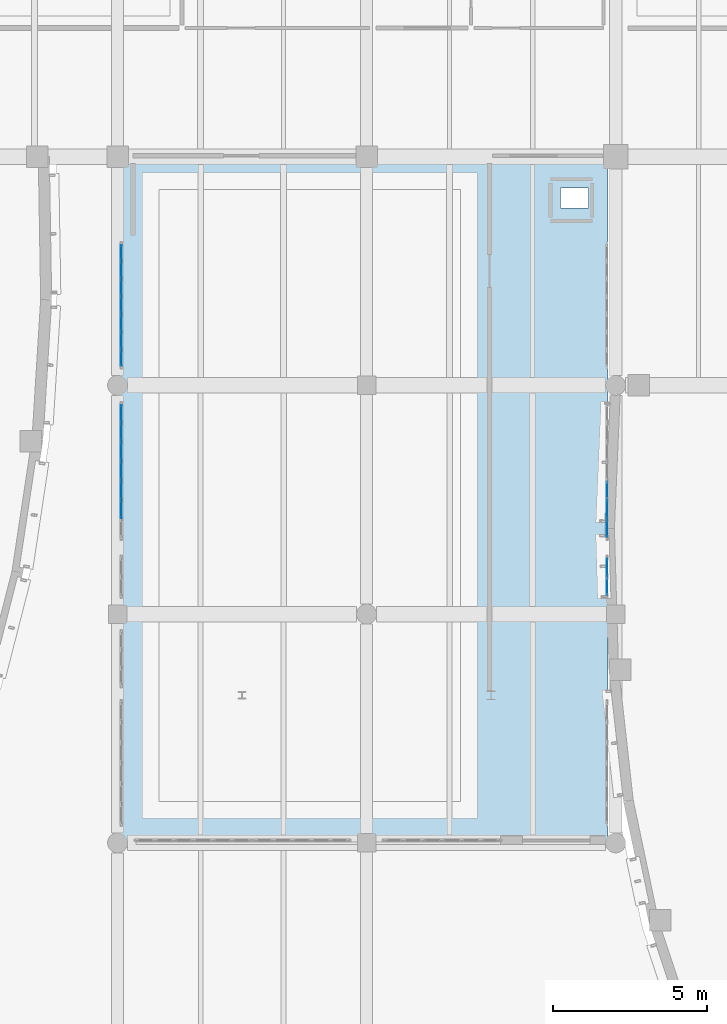
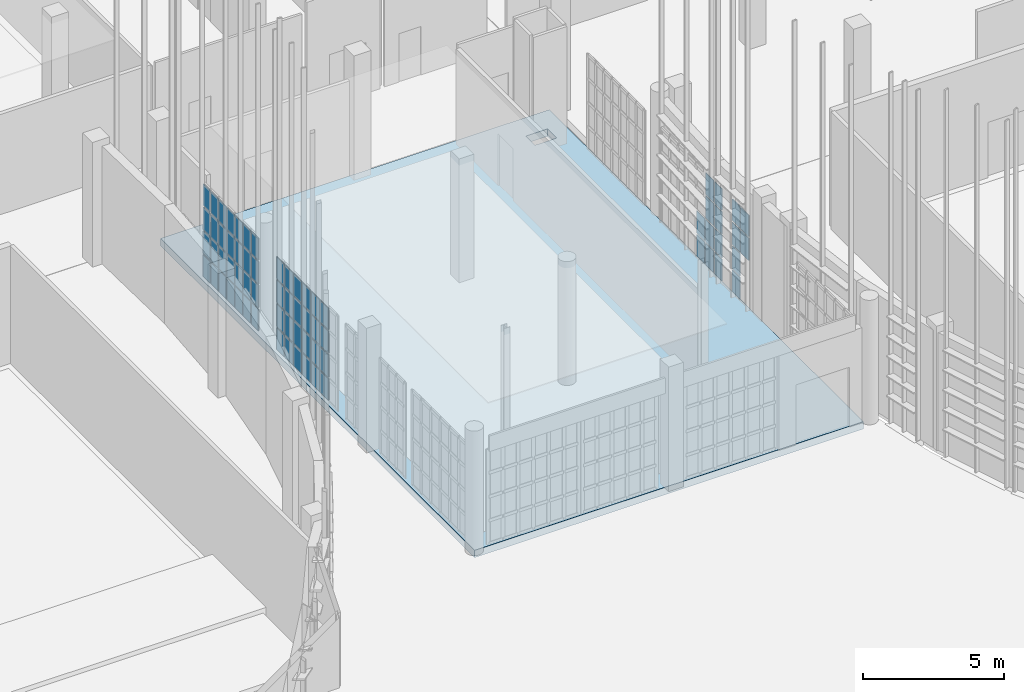
# One storey, part 334 of 372: 68 plates, 1 slab, 4 elements without a shape of their own.
"""IFC4 building model written with IfcOpenShell, lengths in metres."""

from ifc_helpers import new_model, si_unit, direction, frame, origin, origin_2d, place, context, subcontext, project, spatial, polyline, rectangle, outline, extrude, material, layer, layer_set, type_object, element, aggregate, save


model = new_model("IFC4")

# Units and contexts
model_context = context("Model", 3, precision=1e-05, world=origin(), true_north=direction((0.0, 1.0)))
body_context = subcontext(model_context, "Body", "Model", "MODEL_VIEW")
ifc_project = project(units=[si_unit("LENGTHUNIT", "METRE"), si_unit("AREAUNIT", "SQUARE_METRE"), si_unit("VOLUMEUNIT", "CUBIC_METRE"), si_unit("PLANEANGLEUNIT", "RADIAN"), si_unit("MASSUNIT", "GRAM", prefix="KILO")], contexts=[model_context])

# Site, building, storey
site_placement = place(None, origin())
site = spatial("IfcSite", under=ifc_project, at=site_placement, CompositionType="ELEMENT")
building_placement = place(site_placement, origin())
building = spatial("IfcBuilding", under=site, at=building_placement, Name="Kaelora Sail Theatre", CompositionType="ELEMENT")
storey_placement = place(building_placement, origin())
storey = spatial("IfcBuildingStorey", under=building, at=storey_placement, Name="L00", CompositionType="ELEMENT", Elevation=0.0)

# Curtain wall, plates
ifc_material_1 = material(Name="Anodised aluminium and solar-control low-E IGU", Category="aluminium")
curtain_wall_type = type_object("IfcCurtainWallType", Name="ARC-CW-CW-FOY2", PredefinedType="NOTDEFINED", material=ifc_material_1)
curtain_wall_1_placement = place(storey_placement, origin())
curtain_wall_1 = element("IfcCurtainWall", 1, at=curtain_wall_1_placement, inside=storey, type_object=curtain_wall_type, Name="East Interstitial Foyer East Glazed Return L00-02", PredefinedType="NOTDEFINED")
ifc_material_2 = material(Name="Solar-control laminated low-E glass", Category="glass")
ifc_layer_1 = layer(ifc_material_2, 0.031982421875)
ifc_layer_set_1 = layer_set([ifc_layer_1], Name="Solar-control laminated low-E glass")
plate_type = type_object("IfcPlateType", Name="ARC-CW-PNL", PredefinedType="CURTAIN_PANEL", material=ifc_layer_set_1)
plate_1_placement = place(storey_placement, frame((122.719970703125, 47.0400390625, 2.103515625), z_axis=(0.0, 0.0, 1.0), x_axis=(0.0, 1.0, 0.0)))
plate_1 = element("IfcPlate", 2, at=plate_1_placement, type_object=plate_type, Name="CW-FOY2 panel 1.3", PredefinedType="CURTAIN_PANEL", context=body_context, shape_type="SweptSolid", body=[
    extrude(rectangle(XDim=0.56005859375, YDim=0.031982421875, at=origin_2d()), origin(), (0.0, 0.0, 1.0), 0.964111328125),
])
plate_2_placement = place(storey_placement, frame((122.719970703125, 47.0400390625, 3.1376953125), z_axis=(0.0, 0.0, 1.0), x_axis=(0.0, 1.0, 0.0)))
plate_2 = element("IfcPlate", 3, at=plate_2_placement, type_object=plate_type, Name="CW-FOY2 panel 1.4", PredefinedType="CURTAIN_PANEL", context=body_context, shape_type="SweptSolid", body=[
    extrude(rectangle(XDim=0.56005859375, YDim=0.031982421875, at=origin_2d()), origin(), (0.0, 0.0, 1.0), 0.92919921875),
])
plate_3_placement = place(storey_placement, frame((122.719970703125, 47.659912109375, 0.070068359375), z_axis=(0.0, 0.0, 1.0), x_axis=(0.0, 1.0, 0.0)))
plate_3 = element("IfcPlate", 4, at=plate_3_placement, type_object=plate_type, Name="CW-FOY2 panel 2.1", PredefinedType="CURTAIN_PANEL", context=body_context, shape_type="SweptSolid", body=[
    extrude(rectangle(XDim=0.56005859375, YDim=0.031982421875, at=origin_2d()), origin(), (0.0, 0.0, 1.0), 0.92919921875),
])
plate_4_placement = place(storey_placement, frame((122.719970703125, 47.659912109375, 1.069091796875), z_axis=(0.0, 0.0, 1.0), x_axis=(0.0, 1.0, 0.0)))
plate_4 = element("IfcPlate", 5, at=plate_4_placement, type_object=plate_type, Name="CW-FOY2 panel 2.2", PredefinedType="CURTAIN_PANEL", context=body_context, shape_type="SweptSolid", body=[
    extrude(rectangle(XDim=0.56005859375, YDim=0.031982421875, at=origin_2d()), origin(), (0.0, 0.0, 1.0), 0.96435546875),
])
plate_5_placement = place(storey_placement, frame((122.719970703125, 47.659912109375, 2.103515625), z_axis=(0.0, 0.0, 1.0), x_axis=(0.0, 1.0, 0.0)))
plate_5 = element("IfcPlate", 6, at=plate_5_placement, type_object=plate_type, Name="CW-FOY2 panel 2.3", PredefinedType="CURTAIN_PANEL", context=body_context, shape_type="SweptSolid", body=[
    extrude(rectangle(XDim=0.56005859375, YDim=0.031982421875, at=origin_2d()), origin(), (0.0, 0.0, 1.0), 0.964111328125),
])
plate_6_placement = place(storey_placement, frame((122.719970703125, 47.659912109375, 3.1376953125), z_axis=(0.0, 0.0, 1.0), x_axis=(0.0, 1.0, 0.0)))
plate_6 = element("IfcPlate", 7, at=plate_6_placement, type_object=plate_type, Name="CW-FOY2 panel 2.4", PredefinedType="CURTAIN_PANEL", context=body_context, shape_type="SweptSolid", body=[
    extrude(rectangle(XDim=0.56005859375, YDim=0.031982421875, at=origin_2d()), origin(), (0.0, 0.0, 1.0), 0.92919921875),
])
aggregate(curtain_wall_1, [plate_1, plate_2, plate_3, plate_4, plate_5, plate_6])

curtain_wall_2_placement = place(storey_placement, origin())
curtain_wall_2 = element("IfcCurtainWall", 8, at=curtain_wall_2_placement, inside=storey, type_object=curtain_wall_type, Name="East Interstitial Foyer West Glazed Return L00-03", PredefinedType="NOTDEFINED")
plate_7_placement = place(storey_placement, frame((106.919921875, 49.541748046875, 0.070068359375), z_axis=(0.0, 0.0, 1.0), x_axis=(0.0, 1.0, 0.0)))
plate_7 = element("IfcPlate", 9, at=plate_7_placement, type_object=plate_type, Name="CW-FOY2 panel 2.1", PredefinedType="CURTAIN_PANEL", context=body_context, shape_type="SweptSolid", body=[
    extrude(rectangle(XDim=0.56787109375, YDim=0.031982421875, at=origin_2d()), origin(), (0.0, 0.0, 1.0), 0.92919921875),
])
plate_8_placement = place(storey_placement, frame((106.919921875, 49.541748046875, 1.069091796875), z_axis=(0.0, 0.0, 1.0), x_axis=(0.0, 1.0, 0.0)))
plate_8 = element("IfcPlate", 10, at=plate_8_placement, type_object=plate_type, Name="CW-FOY2 panel 2.2", PredefinedType="CURTAIN_PANEL", context=body_context, shape_type="SweptSolid", body=[
    extrude(rectangle(XDim=0.56787109375, YDim=0.031982421875, at=origin_2d()), origin(), (0.0, 0.0, 1.0), 0.96435546875),
])
plate_9_placement = place(storey_placement, frame((106.919921875, 49.541748046875, 2.103515625), z_axis=(0.0, 0.0, 1.0), x_axis=(0.0, 1.0, 0.0)))
plate_9 = element("IfcPlate", 11, at=plate_9_placement, type_object=plate_type, Name="CW-FOY2 panel 2.3", PredefinedType="CURTAIN_PANEL", context=body_context, shape_type="SweptSolid", body=[
    extrude(rectangle(XDim=0.56787109375, YDim=0.031982421875, at=origin_2d()), origin(), (0.0, 0.0, 1.0), 0.964111328125),
])
plate_10_placement = place(storey_placement, frame((106.919921875, 49.541748046875, 3.1376953125), z_axis=(0.0, 0.0, 1.0), x_axis=(0.0, 1.0, 0.0)))
plate_10 = element("IfcPlate", 12, at=plate_10_placement, type_object=plate_type, Name="CW-FOY2 panel 2.4", PredefinedType="CURTAIN_PANEL", context=body_context, shape_type="SweptSolid", body=[
    extrude(rectangle(XDim=0.56787109375, YDim=0.031982421875, at=origin_2d()), origin(), (0.0, 0.0, 1.0), 0.92919921875),
])
plate_11_placement = place(storey_placement, frame((106.919921875, 50.169677734375, 0.070068359375), z_axis=(0.0, 0.0, 1.0), x_axis=(0.0, 1.0, 0.0)))
plate_11 = element("IfcPlate", 13, at=plate_11_placement, type_object=plate_type, Name="CW-FOY2 panel 3.1", PredefinedType="CURTAIN_PANEL", context=body_context, shape_type="SweptSolid", body=[
    extrude(rectangle(XDim=0.56787109375, YDim=0.031982421875, at=origin_2d()), origin(), (0.0, 0.0, 1.0), 0.92919921875),
])
plate_12_placement = place(storey_placement, frame((106.919921875, 50.169677734375, 1.069091796875), z_axis=(0.0, 0.0, 1.0), x_axis=(0.0, 1.0, 0.0)))
plate_12 = element("IfcPlate", 14, at=plate_12_placement, type_object=plate_type, Name="CW-FOY2 panel 3.2", PredefinedType="CURTAIN_PANEL", context=body_context, shape_type="SweptSolid", body=[
    extrude(rectangle(XDim=0.56787109375, YDim=0.031982421875, at=origin_2d()), origin(), (0.0, 0.0, 1.0), 0.96435546875),
])
plate_13_placement = place(storey_placement, frame((106.919921875, 50.169677734375, 2.103515625), z_axis=(0.0, 0.0, 1.0), x_axis=(0.0, 1.0, 0.0)))
plate_13 = element("IfcPlate", 15, at=plate_13_placement, type_object=plate_type, Name="CW-FOY2 panel 3.3", PredefinedType="CURTAIN_PANEL", context=body_context, shape_type="SweptSolid", body=[
    extrude(rectangle(XDim=0.56787109375, YDim=0.031982421875, at=origin_2d()), origin(), (0.0, 0.0, 1.0), 0.964111328125),
])
plate_14_placement = place(storey_placement, frame((106.919921875, 50.169677734375, 3.1376953125), z_axis=(0.0, 0.0, 1.0), x_axis=(0.0, 1.0, 0.0)))
plate_14 = element("IfcPlate", 16, at=plate_14_placement, type_object=plate_type, Name="CW-FOY2 panel 3.4", PredefinedType="CURTAIN_PANEL", context=body_context, shape_type="SweptSolid", body=[
    extrude(rectangle(XDim=0.56787109375, YDim=0.031982421875, at=origin_2d()), origin(), (0.0, 0.0, 1.0), 0.92919921875),
])
plate_15_placement = place(storey_placement, frame((106.919921875, 50.797607421875, 0.070068359375), z_axis=(0.0, 0.0, 1.0), x_axis=(0.0, 1.0, 0.0)))
plate_15 = element("IfcPlate", 17, at=plate_15_placement, type_object=plate_type, Name="CW-FOY2 panel 4.1", PredefinedType="CURTAIN_PANEL", context=body_context, shape_type="SweptSolid", body=[
    extrude(rectangle(XDim=0.56787109375, YDim=0.031982421875, at=origin_2d()), origin(), (0.0, 0.0, 1.0), 0.92919921875),
])
plate_16_placement = place(storey_placement, frame((106.919921875, 50.797607421875, 1.069091796875), z_axis=(0.0, 0.0, 1.0), x_axis=(0.0, 1.0, 0.0)))
plate_16 = element("IfcPlate", 18, at=plate_16_placement, type_object=plate_type, Name="CW-FOY2 panel 4.2", PredefinedType="CURTAIN_PANEL", context=body_context, shape_type="SweptSolid", body=[
    extrude(rectangle(XDim=0.56787109375, YDim=0.031982421875, at=origin_2d()), origin(), (0.0, 0.0, 1.0), 0.96435546875),
])
plate_17_placement = place(storey_placement, frame((106.919921875, 50.797607421875, 2.103515625), z_axis=(0.0, 0.0, 1.0), x_axis=(0.0, 1.0, 0.0)))
plate_17 = element("IfcPlate", 19, at=plate_17_placement, type_object=plate_type, Name="CW-FOY2 panel 4.3", PredefinedType="CURTAIN_PANEL", context=body_context, shape_type="SweptSolid", body=[
    extrude(rectangle(XDim=0.56787109375, YDim=0.031982421875, at=origin_2d()), origin(), (0.0, 0.0, 1.0), 0.964111328125),
])
plate_18_placement = place(storey_placement, frame((106.919921875, 50.797607421875, 3.1376953125), z_axis=(0.0, 0.0, 1.0), x_axis=(0.0, 1.0, 0.0)))
plate_18 = element("IfcPlate", 20, at=plate_18_placement, type_object=plate_type, Name="CW-FOY2 panel 4.4", PredefinedType="CURTAIN_PANEL", context=body_context, shape_type="SweptSolid", body=[
    extrude(rectangle(XDim=0.56787109375, YDim=0.031982421875, at=origin_2d()), origin(), (0.0, 0.0, 1.0), 0.92919921875),
])
plate_19_placement = place(storey_placement, frame((106.919921875, 51.42529296875, 0.070068359375), z_axis=(0.0, 0.0, 1.0), x_axis=(0.0, 1.0, 0.0)))
plate_19 = element("IfcPlate", 21, at=plate_19_placement, type_object=plate_type, Name="CW-FOY2 panel 5.1", PredefinedType="CURTAIN_PANEL", context=body_context, shape_type="SweptSolid", body=[
    extrude(rectangle(XDim=0.56787109375, YDim=0.031982421875, at=origin_2d()), origin(), (0.0, 0.0, 1.0), 0.92919921875),
])
plate_20_placement = place(storey_placement, frame((106.919921875, 51.42529296875, 1.069091796875), z_axis=(0.0, 0.0, 1.0), x_axis=(0.0, 1.0, 0.0)))
plate_20 = element("IfcPlate", 22, at=plate_20_placement, type_object=plate_type, Name="CW-FOY2 panel 5.2", PredefinedType="CURTAIN_PANEL", context=body_context, shape_type="SweptSolid", body=[
    extrude(rectangle(XDim=0.56787109375, YDim=0.031982421875, at=origin_2d()), origin(), (0.0, 0.0, 1.0), 0.96435546875),
])
plate_21_placement = place(storey_placement, frame((106.919921875, 51.42529296875, 2.103515625), z_axis=(0.0, 0.0, 1.0), x_axis=(0.0, 1.0, 0.0)))
plate_21 = element("IfcPlate", 23, at=plate_21_placement, type_object=plate_type, Name="CW-FOY2 panel 5.3", PredefinedType="CURTAIN_PANEL", context=body_context, shape_type="SweptSolid", body=[
    extrude(rectangle(XDim=0.56787109375, YDim=0.031982421875, at=origin_2d()), origin(), (0.0, 0.0, 1.0), 0.964111328125),
])
plate_22_placement = place(storey_placement, frame((106.919921875, 51.42529296875, 3.1376953125), z_axis=(0.0, 0.0, 1.0), x_axis=(0.0, 1.0, 0.0)))
plate_22 = element("IfcPlate", 24, at=plate_22_placement, type_object=plate_type, Name="CW-FOY2 panel 5.4", PredefinedType="CURTAIN_PANEL", context=body_context, shape_type="SweptSolid", body=[
    extrude(rectangle(XDim=0.56787109375, YDim=0.031982421875, at=origin_2d()), origin(), (0.0, 0.0, 1.0), 0.92919921875),
])
plate_23_placement = place(storey_placement, frame((106.919921875, 52.05322265625, 0.070068359375), z_axis=(0.0, 0.0, 1.0), x_axis=(0.0, 1.0, 0.0)))
plate_23 = element("IfcPlate", 25, at=plate_23_placement, type_object=plate_type, Name="CW-FOY2 panel 6.1", PredefinedType="CURTAIN_PANEL", context=body_context, shape_type="SweptSolid", body=[
    extrude(rectangle(XDim=0.56787109375, YDim=0.031982421875, at=origin_2d()), origin(), (0.0, 0.0, 1.0), 0.92919921875),
])
plate_24_placement = place(storey_placement, frame((106.919921875, 52.05322265625, 1.069091796875), z_axis=(0.0, 0.0, 1.0), x_axis=(0.0, 1.0, 0.0)))
plate_24 = element("IfcPlate", 26, at=plate_24_placement, type_object=plate_type, Name="CW-FOY2 panel 6.2", PredefinedType="CURTAIN_PANEL", context=body_context, shape_type="SweptSolid", body=[
    extrude(rectangle(XDim=0.56787109375, YDim=0.031982421875, at=origin_2d()), origin(), (0.0, 0.0, 1.0), 0.96435546875),
])
plate_25_placement = place(storey_placement, frame((106.919921875, 52.05322265625, 2.103515625), z_axis=(0.0, 0.0, 1.0), x_axis=(0.0, 1.0, 0.0)))
plate_25 = element("IfcPlate", 27, at=plate_25_placement, type_object=plate_type, Name="CW-FOY2 panel 6.3", PredefinedType="CURTAIN_PANEL", context=body_context, shape_type="SweptSolid", body=[
    extrude(rectangle(XDim=0.56787109375, YDim=0.031982421875, at=origin_2d()), origin(), (0.0, 0.0, 1.0), 0.964111328125),
])
plate_26_placement = place(storey_placement, frame((106.919921875, 52.05322265625, 3.1376953125), z_axis=(0.0, 0.0, 1.0), x_axis=(0.0, 1.0, 0.0)))
plate_26 = element("IfcPlate", 28, at=plate_26_placement, type_object=plate_type, Name="CW-FOY2 panel 6.4", PredefinedType="CURTAIN_PANEL", context=body_context, shape_type="SweptSolid", body=[
    extrude(rectangle(XDim=0.56787109375, YDim=0.031982421875, at=origin_2d()), origin(), (0.0, 0.0, 1.0), 0.92919921875),
])
plate_27_placement = place(storey_placement, frame((106.919921875, 52.666015625, 0.070068359375), z_axis=(0.0, 0.0, 1.0), x_axis=(0.0, 1.0, 0.0)))
plate_27 = element("IfcPlate", 29, at=plate_27_placement, type_object=plate_type, Name="CW-FOY2 panel 7.1", PredefinedType="CURTAIN_PANEL", context=body_context, shape_type="SweptSolid", body=[
    extrude(rectangle(XDim=0.537841796875, YDim=0.031982421875, at=origin_2d()), origin(), (0.0, 0.0, 1.0), 0.92919921875),
])
plate_28_placement = place(storey_placement, frame((106.919921875, 52.666015625, 1.069091796875), z_axis=(0.0, 0.0, 1.0), x_axis=(0.0, 1.0, 0.0)))
plate_28 = element("IfcPlate", 30, at=plate_28_placement, type_object=plate_type, Name="CW-FOY2 panel 7.2", PredefinedType="CURTAIN_PANEL", context=body_context, shape_type="SweptSolid", body=[
    extrude(rectangle(XDim=0.537841796875, YDim=0.031982421875, at=origin_2d()), origin(), (0.0, 0.0, 1.0), 0.96435546875),
])
plate_29_placement = place(storey_placement, frame((106.919921875, 52.666015625, 2.103515625), z_axis=(0.0, 0.0, 1.0), x_axis=(0.0, 1.0, 0.0)))
plate_29 = element("IfcPlate", 31, at=plate_29_placement, type_object=plate_type, Name="CW-FOY2 panel 7.3", PredefinedType="CURTAIN_PANEL", context=body_context, shape_type="SweptSolid", body=[
    extrude(rectangle(XDim=0.537841796875, YDim=0.031982421875, at=origin_2d()), origin(), (0.0, 0.0, 1.0), 0.964111328125),
])
plate_30_placement = place(storey_placement, frame((106.919921875, 52.666015625, 3.1376953125), z_axis=(0.0, 0.0, 1.0), x_axis=(0.0, 1.0, 0.0)))
plate_30 = element("IfcPlate", 32, at=plate_30_placement, type_object=plate_type, Name="CW-FOY2 panel 7.4", PredefinedType="CURTAIN_PANEL", context=body_context, shape_type="SweptSolid", body=[
    extrude(rectangle(XDim=0.537841796875, YDim=0.031982421875, at=origin_2d()), origin(), (0.0, 0.0, 1.0), 0.92919921875),
])
aggregate(curtain_wall_2, [plate_7, plate_8, plate_9, plate_10, plate_11, plate_12, plate_13, plate_14, plate_15, plate_16, plate_17, plate_18, plate_19, plate_20, plate_21, plate_22, plate_23, plate_24, plate_25, plate_26, plate_27, plate_28, plate_29, plate_30])

curtain_wall_3_placement = place(storey_placement, origin())
curtain_wall_3 = element("IfcCurtainWall", 33, at=curtain_wall_3_placement, inside=storey, type_object=curtain_wall_type, Name="East Interstitial Foyer East Glazed Return L00-03", PredefinedType="NOTDEFINED")
plate_31_placement = place(storey_placement, frame((122.719970703125, 48.928955078125, 0.070068359375), z_axis=(0.0, 0.0, 1.0), x_axis=(0.0, 1.0, 0.0)))
plate_31 = element("IfcPlate", 34, at=plate_31_placement, type_object=plate_type, Name="CW-FOY2 panel 1.1", PredefinedType="CURTAIN_PANEL", context=body_context, shape_type="SweptSolid", body=[
    extrude(rectangle(XDim=0.537841796875, YDim=0.031982421875, at=origin_2d()), origin(), (0.0, 0.0, 1.0), 0.92919921875),
])
plate_32_placement = place(storey_placement, frame((122.719970703125, 48.928955078125, 1.069091796875), z_axis=(0.0, 0.0, 1.0), x_axis=(0.0, 1.0, 0.0)))
plate_32 = element("IfcPlate", 35, at=plate_32_placement, type_object=plate_type, Name="CW-FOY2 panel 1.2", PredefinedType="CURTAIN_PANEL", context=body_context, shape_type="SweptSolid", body=[
    extrude(rectangle(XDim=0.537841796875, YDim=0.031982421875, at=origin_2d()), origin(), (0.0, 0.0, 1.0), 0.96435546875),
])
plate_33_placement = place(storey_placement, frame((122.719970703125, 48.928955078125, 2.103515625), z_axis=(0.0, 0.0, 1.0), x_axis=(0.0, 1.0, 0.0)))
plate_33 = element("IfcPlate", 36, at=plate_33_placement, type_object=plate_type, Name="CW-FOY2 panel 1.3", PredefinedType="CURTAIN_PANEL", context=body_context, shape_type="SweptSolid", body=[
    extrude(rectangle(XDim=0.537841796875, YDim=0.031982421875, at=origin_2d()), origin(), (0.0, 0.0, 1.0), 0.964111328125),
])
plate_34_placement = place(storey_placement, frame((122.719970703125, 48.928955078125, 3.1376953125), z_axis=(0.0, 0.0, 1.0), x_axis=(0.0, 1.0, 0.0)))
plate_34 = element("IfcPlate", 37, at=plate_34_placement, type_object=plate_type, Name="CW-FOY2 panel 1.4", PredefinedType="CURTAIN_PANEL", context=body_context, shape_type="SweptSolid", body=[
    extrude(rectangle(XDim=0.537841796875, YDim=0.031982421875, at=origin_2d()), origin(), (0.0, 0.0, 1.0), 0.92919921875),
])
plate_35_placement = place(storey_placement, frame((122.719970703125, 49.541748046875, 0.070068359375), z_axis=(0.0, 0.0, 1.0), x_axis=(0.0, 1.0, 0.0)))
plate_35 = element("IfcPlate", 38, at=plate_35_placement, type_object=plate_type, Name="CW-FOY2 panel 2.1", PredefinedType="CURTAIN_PANEL", context=body_context, shape_type="SweptSolid", body=[
    extrude(rectangle(XDim=0.56787109375, YDim=0.031982421875, at=origin_2d()), origin(), (0.0, 0.0, 1.0), 0.92919921875),
])
plate_36_placement = place(storey_placement, frame((122.719970703125, 49.541748046875, 1.069091796875), z_axis=(0.0, 0.0, 1.0), x_axis=(0.0, 1.0, 0.0)))
plate_36 = element("IfcPlate", 39, at=plate_36_placement, type_object=plate_type, Name="CW-FOY2 panel 2.2", PredefinedType="CURTAIN_PANEL", context=body_context, shape_type="SweptSolid", body=[
    extrude(rectangle(XDim=0.56787109375, YDim=0.031982421875, at=origin_2d()), origin(), (0.0, 0.0, 1.0), 0.96435546875),
])
plate_37_placement = place(storey_placement, frame((122.719970703125, 49.541748046875, 2.103515625), z_axis=(0.0, 0.0, 1.0), x_axis=(0.0, 1.0, 0.0)))
plate_37 = element("IfcPlate", 40, at=plate_37_placement, type_object=plate_type, Name="CW-FOY2 panel 2.3", PredefinedType="CURTAIN_PANEL", context=body_context, shape_type="SweptSolid", body=[
    extrude(rectangle(XDim=0.56787109375, YDim=0.031982421875, at=origin_2d()), origin(), (0.0, 0.0, 1.0), 0.964111328125),
])
plate_38_placement = place(storey_placement, frame((122.719970703125, 49.541748046875, 3.1376953125), z_axis=(0.0, 0.0, 1.0), x_axis=(0.0, 1.0, 0.0)))
plate_38 = element("IfcPlate", 41, at=plate_38_placement, type_object=plate_type, Name="CW-FOY2 panel 2.4", PredefinedType="CURTAIN_PANEL", context=body_context, shape_type="SweptSolid", body=[
    extrude(rectangle(XDim=0.56787109375, YDim=0.031982421875, at=origin_2d()), origin(), (0.0, 0.0, 1.0), 0.92919921875),
])
plate_39_placement = place(storey_placement, frame((122.719970703125, 50.169677734375, 0.070068359375), z_axis=(0.0, 0.0, 1.0), x_axis=(0.0, 1.0, 0.0)))
plate_39 = element("IfcPlate", 42, at=plate_39_placement, type_object=plate_type, Name="CW-FOY2 panel 3.1", PredefinedType="CURTAIN_PANEL", context=body_context, shape_type="SweptSolid", body=[
    extrude(rectangle(XDim=0.56787109375, YDim=0.031982421875, at=origin_2d()), origin(), (0.0, 0.0, 1.0), 0.92919921875),
])
plate_40_placement = place(storey_placement, frame((122.719970703125, 50.169677734375, 1.069091796875), z_axis=(0.0, 0.0, 1.0), x_axis=(0.0, 1.0, 0.0)))
plate_40 = element("IfcPlate", 43, at=plate_40_placement, type_object=plate_type, Name="CW-FOY2 panel 3.2", PredefinedType="CURTAIN_PANEL", context=body_context, shape_type="SweptSolid", body=[
    extrude(rectangle(XDim=0.56787109375, YDim=0.031982421875, at=origin_2d()), origin(), (0.0, 0.0, 1.0), 0.96435546875),
])
aggregate(curtain_wall_3, [plate_31, plate_32, plate_33, plate_34, plate_35, plate_36, plate_37, plate_38, plate_39, plate_40])

curtain_wall_4_placement = place(storey_placement, origin())
curtain_wall_4 = element("IfcCurtainWall", 44, at=curtain_wall_4_placement, inside=storey, type_object=curtain_wall_type, Name="East Interstitial Foyer West Glazed Return L00-04", PredefinedType="NOTDEFINED")
plate_41_placement = place(storey_placement, frame((106.919921875, 54.46826171875, 0.070068359375), z_axis=(0.0, 0.0, 1.0), x_axis=(0.0, 1.0, 0.0)))
plate_41 = element("IfcPlate", 45, at=plate_41_placement, type_object=plate_type, Name="CW-FOY2 panel 1.1", PredefinedType="CURTAIN_PANEL", context=body_context, shape_type="SweptSolid", body=[
    extrude(rectangle(XDim=0.486328125, YDim=0.031982421875, at=origin_2d()), origin(), (0.0, 0.0, 1.0), 0.92919921875),
])
plate_42_placement = place(storey_placement, frame((106.919921875, 54.46826171875, 1.069091796875), z_axis=(0.0, 0.0, 1.0), x_axis=(0.0, 1.0, 0.0)))
plate_42 = element("IfcPlate", 46, at=plate_42_placement, type_object=plate_type, Name="CW-FOY2 panel 1.2", PredefinedType="CURTAIN_PANEL", context=body_context, shape_type="SweptSolid", body=[
    extrude(rectangle(XDim=0.486328125, YDim=0.031982421875, at=origin_2d()), origin(), (0.0, 0.0, 1.0), 0.96435546875),
])
plate_43_placement = place(storey_placement, frame((106.919921875, 54.46826171875, 2.103515625), z_axis=(0.0, 0.0, 1.0), x_axis=(0.0, 1.0, 0.0)))
plate_43 = element("IfcPlate", 47, at=plate_43_placement, type_object=plate_type, Name="CW-FOY2 panel 1.3", PredefinedType="CURTAIN_PANEL", context=body_context, shape_type="SweptSolid", body=[
    extrude(rectangle(XDim=0.486328125, YDim=0.031982421875, at=origin_2d()), origin(), (0.0, 0.0, 1.0), 0.964111328125),
])
plate_44_placement = place(storey_placement, frame((106.919921875, 54.46826171875, 3.1376953125), z_axis=(0.0, 0.0, 1.0), x_axis=(0.0, 1.0, 0.0)))
plate_44 = element("IfcPlate", 48, at=plate_44_placement, type_object=plate_type, Name="CW-FOY2 panel 1.4", PredefinedType="CURTAIN_PANEL", context=body_context, shape_type="SweptSolid", body=[
    extrude(rectangle(XDim=0.486328125, YDim=0.031982421875, at=origin_2d()), origin(), (0.0, 0.0, 1.0), 0.92919921875),
])
plate_45_placement = place(storey_placement, frame((106.919921875, 55.029541015625, 0.070068359375), z_axis=(0.0, 0.0, 1.0), x_axis=(0.0, 1.0, 0.0)))
plate_45 = element("IfcPlate", 49, at=plate_45_placement, type_object=plate_type, Name="CW-FOY2 panel 2.1", PredefinedType="CURTAIN_PANEL", context=body_context, shape_type="SweptSolid", body=[
    extrude(rectangle(XDim=0.516357421875, YDim=0.031982421875, at=origin_2d()), origin(), (0.0, 0.0, 1.0), 0.92919921875),
])
plate_46_placement = place(storey_placement, frame((106.919921875, 55.029541015625, 1.069091796875), z_axis=(0.0, 0.0, 1.0), x_axis=(0.0, 1.0, 0.0)))
plate_46 = element("IfcPlate", 50, at=plate_46_placement, type_object=plate_type, Name="CW-FOY2 panel 2.2", PredefinedType="CURTAIN_PANEL", context=body_context, shape_type="SweptSolid", body=[
    extrude(rectangle(XDim=0.516357421875, YDim=0.031982421875, at=origin_2d()), origin(), (0.0, 0.0, 1.0), 0.96435546875),
])
plate_47_placement = place(storey_placement, frame((106.919921875, 55.029541015625, 2.103515625), z_axis=(0.0, 0.0, 1.0), x_axis=(0.0, 1.0, 0.0)))
plate_47 = element("IfcPlate", 51, at=plate_47_placement, type_object=plate_type, Name="CW-FOY2 panel 2.3", PredefinedType="CURTAIN_PANEL", context=body_context, shape_type="SweptSolid", body=[
    extrude(rectangle(XDim=0.516357421875, YDim=0.031982421875, at=origin_2d()), origin(), (0.0, 0.0, 1.0), 0.964111328125),
])
plate_48_placement = place(storey_placement, frame((106.919921875, 55.029541015625, 3.1376953125), z_axis=(0.0, 0.0, 1.0), x_axis=(0.0, 1.0, 0.0)))
plate_48 = element("IfcPlate", 52, at=plate_48_placement, type_object=plate_type, Name="CW-FOY2 panel 2.4", PredefinedType="CURTAIN_PANEL", context=body_context, shape_type="SweptSolid", body=[
    extrude(rectangle(XDim=0.516357421875, YDim=0.031982421875, at=origin_2d()), origin(), (0.0, 0.0, 1.0), 0.92919921875),
])
plate_49_placement = place(storey_placement, frame((106.919921875, 55.60595703125, 0.070068359375), z_axis=(0.0, 0.0, 1.0), x_axis=(0.0, 1.0, 0.0)))
plate_49 = element("IfcPlate", 53, at=plate_49_placement, type_object=plate_type, Name="CW-FOY2 panel 3.1", PredefinedType="CURTAIN_PANEL", context=body_context, shape_type="SweptSolid", body=[
    extrude(rectangle(XDim=0.516357421875, YDim=0.031982421875, at=origin_2d()), origin(), (0.0, 0.0, 1.0), 0.92919921875),
])
plate_50_placement = place(storey_placement, frame((106.919921875, 55.60595703125, 1.069091796875), z_axis=(0.0, 0.0, 1.0), x_axis=(0.0, 1.0, 0.0)))
plate_50 = element("IfcPlate", 54, at=plate_50_placement, type_object=plate_type, Name="CW-FOY2 panel 3.2", PredefinedType="CURTAIN_PANEL", context=body_context, shape_type="SweptSolid", body=[
    extrude(rectangle(XDim=0.516357421875, YDim=0.031982421875, at=origin_2d()), origin(), (0.0, 0.0, 1.0), 0.96435546875),
])
plate_51_placement = place(storey_placement, frame((106.919921875, 55.60595703125, 2.103515625), z_axis=(0.0, 0.0, 1.0), x_axis=(0.0, 1.0, 0.0)))
plate_51 = element("IfcPlate", 55, at=plate_51_placement, type_object=plate_type, Name="CW-FOY2 panel 3.3", PredefinedType="CURTAIN_PANEL", context=body_context, shape_type="SweptSolid", body=[
    extrude(rectangle(XDim=0.516357421875, YDim=0.031982421875, at=origin_2d()), origin(), (0.0, 0.0, 1.0), 0.964111328125),
])
plate_52_placement = place(storey_placement, frame((106.919921875, 55.60595703125, 3.1376953125), z_axis=(0.0, 0.0, 1.0), x_axis=(0.0, 1.0, 0.0)))
plate_52 = element("IfcPlate", 56, at=plate_52_placement, type_object=plate_type, Name="CW-FOY2 panel 3.4", PredefinedType="CURTAIN_PANEL", context=body_context, shape_type="SweptSolid", body=[
    extrude(rectangle(XDim=0.516357421875, YDim=0.031982421875, at=origin_2d()), origin(), (0.0, 0.0, 1.0), 0.92919921875),
])
plate_53_placement = place(storey_placement, frame((106.919921875, 56.1826171875, 0.070068359375), z_axis=(0.0, 0.0, 1.0), x_axis=(0.0, 1.0, 0.0)))
plate_53 = element("IfcPlate", 57, at=plate_53_placement, type_object=plate_type, Name="CW-FOY2 panel 4.1", PredefinedType="CURTAIN_PANEL", context=body_context, shape_type="SweptSolid", body=[
    extrude(rectangle(XDim=0.516357421875, YDim=0.031982421875, at=origin_2d()), origin(), (0.0, 0.0, 1.0), 0.92919921875),
])
plate_54_placement = place(storey_placement, frame((106.919921875, 56.1826171875, 1.069091796875), z_axis=(0.0, 0.0, 1.0), x_axis=(0.0, 1.0, 0.0)))
plate_54 = element("IfcPlate", 58, at=plate_54_placement, type_object=plate_type, Name="CW-FOY2 panel 4.2", PredefinedType="CURTAIN_PANEL", context=body_context, shape_type="SweptSolid", body=[
    extrude(rectangle(XDim=0.516357421875, YDim=0.031982421875, at=origin_2d()), origin(), (0.0, 0.0, 1.0), 0.96435546875),
])
plate_55_placement = place(storey_placement, frame((106.919921875, 56.1826171875, 2.103515625), z_axis=(0.0, 0.0, 1.0), x_axis=(0.0, 1.0, 0.0)))
plate_55 = element("IfcPlate", 59, at=plate_55_placement, type_object=plate_type, Name="CW-FOY2 panel 4.3", PredefinedType="CURTAIN_PANEL", context=body_context, shape_type="SweptSolid", body=[
    extrude(rectangle(XDim=0.516357421875, YDim=0.031982421875, at=origin_2d()), origin(), (0.0, 0.0, 1.0), 0.964111328125),
])
plate_56_placement = place(storey_placement, frame((106.919921875, 56.1826171875, 3.1376953125), z_axis=(0.0, 0.0, 1.0), x_axis=(0.0, 1.0, 0.0)))
plate_56 = element("IfcPlate", 60, at=plate_56_placement, type_object=plate_type, Name="CW-FOY2 panel 4.4", PredefinedType="CURTAIN_PANEL", context=body_context, shape_type="SweptSolid", body=[
    extrude(rectangle(XDim=0.516357421875, YDim=0.031982421875, at=origin_2d()), origin(), (0.0, 0.0, 1.0), 0.92919921875),
])
plate_57_placement = place(storey_placement, frame((106.919921875, 56.759033203125, 0.070068359375), z_axis=(0.0, 0.0, 1.0), x_axis=(0.0, 1.0, 0.0)))
plate_57 = element("IfcPlate", 61, at=plate_57_placement, type_object=plate_type, Name="CW-FOY2 panel 5.1", PredefinedType="CURTAIN_PANEL", context=body_context, shape_type="SweptSolid", body=[
    extrude(rectangle(XDim=0.516357421875, YDim=0.031982421875, at=origin_2d()), origin(), (0.0, 0.0, 1.0), 0.92919921875),
])
plate_58_placement = place(storey_placement, frame((106.919921875, 56.759033203125, 1.069091796875), z_axis=(0.0, 0.0, 1.0), x_axis=(0.0, 1.0, 0.0)))
plate_58 = element("IfcPlate", 62, at=plate_58_placement, type_object=plate_type, Name="CW-FOY2 panel 5.2", PredefinedType="CURTAIN_PANEL", context=body_context, shape_type="SweptSolid", body=[
    extrude(rectangle(XDim=0.516357421875, YDim=0.031982421875, at=origin_2d()), origin(), (0.0, 0.0, 1.0), 0.96435546875),
])
plate_59_placement = place(storey_placement, frame((106.919921875, 56.759033203125, 2.103515625), z_axis=(0.0, 0.0, 1.0), x_axis=(0.0, 1.0, 0.0)))
plate_59 = element("IfcPlate", 63, at=plate_59_placement, type_object=plate_type, Name="CW-FOY2 panel 5.3", PredefinedType="CURTAIN_PANEL", context=body_context, shape_type="SweptSolid", body=[
    extrude(rectangle(XDim=0.516357421875, YDim=0.031982421875, at=origin_2d()), origin(), (0.0, 0.0, 1.0), 0.964111328125),
])
plate_60_placement = place(storey_placement, frame((106.919921875, 56.759033203125, 3.1376953125), z_axis=(0.0, 0.0, 1.0), x_axis=(0.0, 1.0, 0.0)))
plate_60 = element("IfcPlate", 64, at=plate_60_placement, type_object=plate_type, Name="CW-FOY2 panel 5.4", PredefinedType="CURTAIN_PANEL", context=body_context, shape_type="SweptSolid", body=[
    extrude(rectangle(XDim=0.516357421875, YDim=0.031982421875, at=origin_2d()), origin(), (0.0, 0.0, 1.0), 0.92919921875),
])
plate_61_placement = place(storey_placement, frame((106.919921875, 57.33544921875, 0.070068359375), z_axis=(0.0, 0.0, 1.0), x_axis=(0.0, 1.0, 0.0)))
plate_61 = element("IfcPlate", 65, at=plate_61_placement, type_object=plate_type, Name="CW-FOY2 panel 6.1", PredefinedType="CURTAIN_PANEL", context=body_context, shape_type="SweptSolid", body=[
    extrude(rectangle(XDim=0.516357421875, YDim=0.031982421875, at=origin_2d()), origin(), (0.0, 0.0, 1.0), 0.92919921875),
])
plate_62_placement = place(storey_placement, frame((106.919921875, 57.33544921875, 1.069091796875), z_axis=(0.0, 0.0, 1.0), x_axis=(0.0, 1.0, 0.0)))
plate_62 = element("IfcPlate", 66, at=plate_62_placement, type_object=plate_type, Name="CW-FOY2 panel 6.2", PredefinedType="CURTAIN_PANEL", context=body_context, shape_type="SweptSolid", body=[
    extrude(rectangle(XDim=0.516357421875, YDim=0.031982421875, at=origin_2d()), origin(), (0.0, 0.0, 1.0), 0.96435546875),
])
plate_63_placement = place(storey_placement, frame((106.919921875, 57.33544921875, 2.103515625), z_axis=(0.0, 0.0, 1.0), x_axis=(0.0, 1.0, 0.0)))
plate_63 = element("IfcPlate", 67, at=plate_63_placement, type_object=plate_type, Name="CW-FOY2 panel 6.3", PredefinedType="CURTAIN_PANEL", context=body_context, shape_type="SweptSolid", body=[
    extrude(rectangle(XDim=0.516357421875, YDim=0.031982421875, at=origin_2d()), origin(), (0.0, 0.0, 1.0), 0.964111328125),
])
plate_64_placement = place(storey_placement, frame((106.919921875, 57.33544921875, 3.1376953125), z_axis=(0.0, 0.0, 1.0), x_axis=(0.0, 1.0, 0.0)))
plate_64 = element("IfcPlate", 68, at=plate_64_placement, type_object=plate_type, Name="CW-FOY2 panel 6.4", PredefinedType="CURTAIN_PANEL", context=body_context, shape_type="SweptSolid", body=[
    extrude(rectangle(XDim=0.516357421875, YDim=0.031982421875, at=origin_2d()), origin(), (0.0, 0.0, 1.0), 0.92919921875),
])
plate_65_placement = place(storey_placement, frame((106.919921875, 57.896728515625, 0.070068359375), z_axis=(0.0, 0.0, 1.0), x_axis=(0.0, 1.0, 0.0)))
plate_65 = element("IfcPlate", 69, at=plate_65_placement, type_object=plate_type, Name="CW-FOY2 panel 7.1", PredefinedType="CURTAIN_PANEL", context=body_context, shape_type="SweptSolid", body=[
    extrude(rectangle(XDim=0.486328125, YDim=0.031982421875, at=origin_2d()), origin(), (0.0, 0.0, 1.0), 0.92919921875),
])
plate_66_placement = place(storey_placement, frame((106.919921875, 57.896728515625, 1.069091796875), z_axis=(0.0, 0.0, 1.0), x_axis=(0.0, 1.0, 0.0)))
plate_66 = element("IfcPlate", 70, at=plate_66_placement, type_object=plate_type, Name="CW-FOY2 panel 7.2", PredefinedType="CURTAIN_PANEL", context=body_context, shape_type="SweptSolid", body=[
    extrude(rectangle(XDim=0.486328125, YDim=0.031982421875, at=origin_2d()), origin(), (0.0, 0.0, 1.0), 0.96435546875),
])
plate_67_placement = place(storey_placement, frame((106.919921875, 57.896728515625, 2.103515625), z_axis=(0.0, 0.0, 1.0), x_axis=(0.0, 1.0, 0.0)))
plate_67 = element("IfcPlate", 71, at=plate_67_placement, type_object=plate_type, Name="CW-FOY2 panel 7.3", PredefinedType="CURTAIN_PANEL", context=body_context, shape_type="SweptSolid", body=[
    extrude(rectangle(XDim=0.486328125, YDim=0.031982421875, at=origin_2d()), origin(), (0.0, 0.0, 1.0), 0.964111328125),
])
plate_68_placement = place(storey_placement, frame((106.919921875, 57.896728515625, 3.1376953125), z_axis=(0.0, 0.0, 1.0), x_axis=(0.0, 1.0, 0.0)))
plate_68 = element("IfcPlate", 72, at=plate_68_placement, type_object=plate_type, Name="CW-FOY2 panel 7.4", PredefinedType="CURTAIN_PANEL", context=body_context, shape_type="SweptSolid", body=[
    extrude(rectangle(XDim=0.486328125, YDim=0.031982421875, at=origin_2d()), origin(), (0.0, 0.0, 1.0), 0.92919921875),
])
aggregate(curtain_wall_4, [plate_41, plate_42, plate_43, plate_44, plate_45, plate_46, plate_47, plate_48, plate_49, plate_50, plate_51, plate_52, plate_53, plate_54, plate_55, plate_56, plate_57, plate_58, plate_59, plate_60, plate_61, plate_62, plate_63, plate_64, plate_65, plate_66, plate_67, plate_68])

# Slab
ifc_material_3 = material(Name="Concrete C45/55", Category="concrete")
ifc_layer_2 = layer(ifc_material_3, 0.320068359375)
ifc_layer_set_2 = layer_set([ifc_layer_2], Name="Concrete C45/55")
slab_type = type_object("IfcSlabType", Name="STR-SLB-SL-FL320", PredefinedType="FLOOR", material=ifc_layer_set_2)
slab_placement = place(storey_placement, frame((0.0, 0.0, -0.320068359375)))
element("IfcSlab", 73, at=slab_placement, inside=storey, type_object=slab_type, Name="Glazed Foyer floor slab FI-EAST (L00)", PredefinedType="FLOOR", context=body_context, shape_type="SweptSolid", body=[
    extrude(outline(polyline([(106.81494140625, 38.699951171875), (122.760009765625, 38.699951171875), (122.760009765625, 61.0048828125), (106.81494140625, 61.0048828125), (106.81494140625, 38.699951171875)]), holes=[polyline([(121.2099609375, 59.35498046875), (122.110107421875, 59.35498046875), (122.110107421875, 60.0048828125), (121.2099609375, 60.0048828125), (121.2099609375, 59.35498046875)])]), origin(), (0.0, 0.0, 1.0), 0.320068359375),
])

save(model, "model.ifc")
